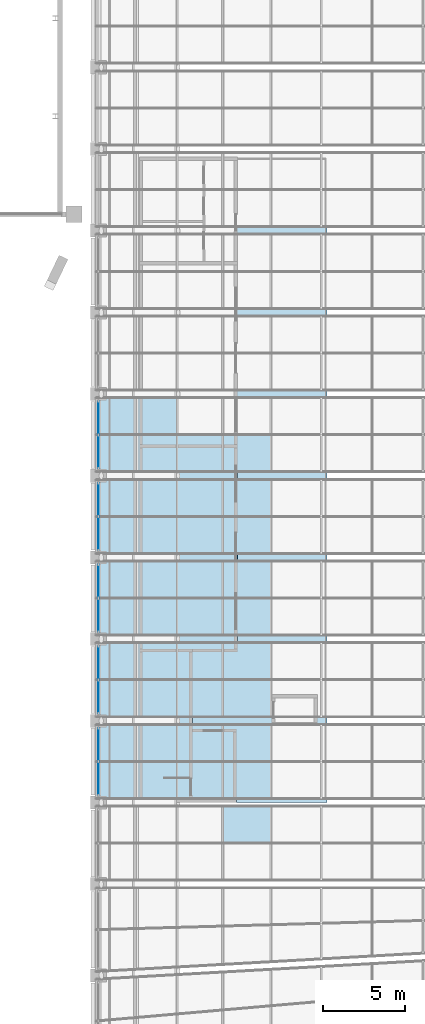
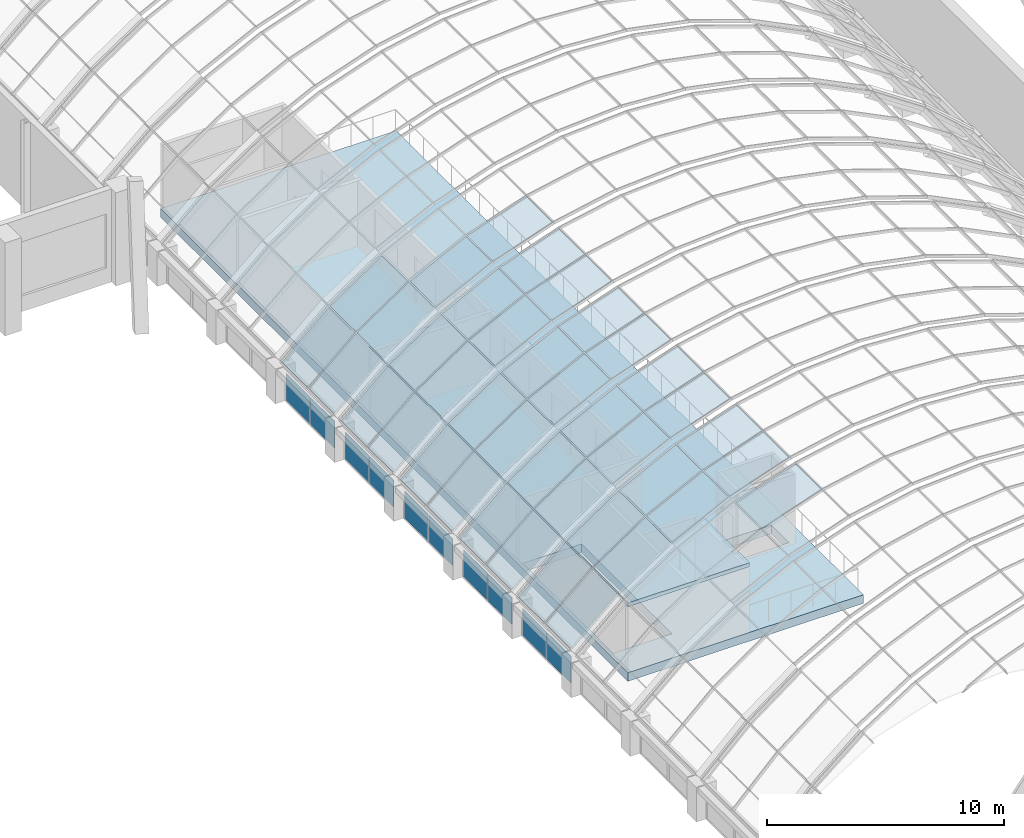
# One storey, part 105 of 182: 49 plates, 3 slabs, 11 elements without a shape of their own.
"""IFC4 building model written with IfcOpenShell, lengths in metres."""

from ifc_helpers import new_model, si_unit, direction, frame, origin, origin_2d, place, context, subcontext, project, spatial, polyline, rectangle, outline, extrude, material, layer, layer_set, type_object, element, aggregate, save


model = new_model("IFC4")

# Units and contexts
model_context = context("Model", 3, precision=1e-05, world=origin(), true_north=direction((0.0, 1.0)))
body_context = subcontext(model_context, "Body", "Model", "MODEL_VIEW")
ifc_project = project(units=[si_unit("LENGTHUNIT", "METRE"), si_unit("AREAUNIT", "SQUARE_METRE"), si_unit("VOLUMEUNIT", "CUBIC_METRE"), si_unit("PLANEANGLEUNIT", "RADIAN"), si_unit("MASSUNIT", "GRAM", prefix="KILO")], contexts=[model_context])

# Site, building, storey
site_placement = place(None, origin())
site = spatial("IfcSite", under=ifc_project, at=site_placement, CompositionType="ELEMENT")
building_placement = place(site_placement, origin())
building = spatial("IfcBuilding", under=site, at=building_placement, Name="Okhra Congress Centre", CompositionType="ELEMENT")
storey_placement = place(building_placement, frame((0.0, 0.0, 7.199951171875)))
storey = spatial("IfcBuildingStorey", under=building, at=storey_placement, Name="L01", CompositionType="ELEMENT", Elevation=7.199951171875)

# Curtain wall, plates
ifc_material_1 = material(Name="Aluminium curtain wall, triple glazing", Category="aluminium")
curtain_wall_type_1 = type_object("IfcCurtainWallType", Name="Curtain wall 2100 module", PredefinedType="NOTDEFINED", material=ifc_material_1)
curtain_wall_1_placement = place(storey_placement, origin())
curtain_wall_1 = element("IfcCurtainWall", 1, at=curtain_wall_1_placement, inside=storey, type_object=curtain_wall_type_1, Name="West bay 5 clerestory glazing", PredefinedType="NOTDEFINED")
ifc_material_2 = material(Name="Triple glazing unit, low-e coating, argon fill", Category="glass")
ifc_layer_1 = layer(ifc_material_2, 0.028076171875)
ifc_layer_set_1 = layer_set([ifc_layer_1], Name="Curtain wall glazing unit 28")
plate_type_1 = type_object("IfcPlateType", Name="Curtain wall glazing unit 28", PredefinedType="CURTAIN_PANEL", material=ifc_layer_set_1)
plate_1_placement = place(storey_placement, frame((155.5, 97.465087890625, 0.06005859375), z_axis=(0.0, 0.0, 1.0), x_axis=(0.0, 1.0, 0.0)))
plate_1 = element("IfcPlate", 2, at=plate_1_placement, type_object=plate_type_1, Name="CW4 panel 1.1", PredefinedType="CURTAIN_PANEL", context=body_context, shape_type="SweptSolid", body=[
    extrude(rectangle(XDim=2.010009765625, YDim=0.028076171875, at=origin_2d()), origin(), (0.0, 0.0, 1.0), 1.3798828125),
])
plate_2_placement = place(storey_placement, frame((155.5, 99.534912109375, 0.06005859375), z_axis=(0.0, 0.0, 1.0), x_axis=(0.0, 1.0, 0.0)))
plate_2 = element("IfcPlate", 3, at=plate_2_placement, type_object=plate_type_1, Name="CW4 panel 2.1", PredefinedType="CURTAIN_PANEL", context=body_context, shape_type="SweptSolid", body=[
    extrude(rectangle(XDim=2.010009765625, YDim=0.028076171875, at=origin_2d()), origin(), (0.0, 0.0, 1.0), 1.3798828125),
])
aggregate(curtain_wall_1, [plate_1, plate_2])

curtain_wall_2_placement = place(storey_placement, origin())
curtain_wall_2 = element("IfcCurtainWall", 4, at=curtain_wall_2_placement, inside=storey, type_object=curtain_wall_type_1, Name="West bay 6 clerestory glazing", PredefinedType="NOTDEFINED")
plate_3_placement = place(storey_placement, frame((155.5, 102.465087890625, 0.06005859375), z_axis=(0.0, 0.0, 1.0), x_axis=(0.0, 1.0, 0.0)))
plate_3 = element("IfcPlate", 5, at=plate_3_placement, type_object=plate_type_1, Name="CW4 panel 1.1", PredefinedType="CURTAIN_PANEL", context=body_context, shape_type="SweptSolid", body=[
    extrude(rectangle(XDim=2.010009765625, YDim=0.028076171875, at=origin_2d()), origin(), (0.0, 0.0, 1.0), 1.3798828125),
])
plate_4_placement = place(storey_placement, frame((155.5, 104.534912109375, 0.06005859375), z_axis=(0.0, 0.0, 1.0), x_axis=(0.0, 1.0, 0.0)))
plate_4 = element("IfcPlate", 6, at=plate_4_placement, type_object=plate_type_1, Name="CW4 panel 2.1", PredefinedType="CURTAIN_PANEL", context=body_context, shape_type="SweptSolid", body=[
    extrude(rectangle(XDim=2.010009765625, YDim=0.028076171875, at=origin_2d()), origin(), (0.0, 0.0, 1.0), 1.3798828125),
])
aggregate(curtain_wall_2, [plate_3, plate_4])

curtain_wall_3_placement = place(storey_placement, origin())
curtain_wall_3 = element("IfcCurtainWall", 7, at=curtain_wall_3_placement, inside=storey, type_object=curtain_wall_type_1, Name="West bay 7 clerestory glazing", PredefinedType="NOTDEFINED")
plate_5_placement = place(storey_placement, frame((155.5, 107.465087890625, 0.06005859375), z_axis=(0.0, 0.0, 1.0), x_axis=(0.0, 1.0, 0.0)))
plate_5 = element("IfcPlate", 8, at=plate_5_placement, type_object=plate_type_1, Name="CW4 panel 1.1", PredefinedType="CURTAIN_PANEL", context=body_context, shape_type="SweptSolid", body=[
    extrude(rectangle(XDim=2.010009765625, YDim=0.028076171875, at=origin_2d()), origin(), (0.0, 0.0, 1.0), 1.3798828125),
])
plate_6_placement = place(storey_placement, frame((155.5, 109.534912109375, 0.06005859375), z_axis=(0.0, 0.0, 1.0), x_axis=(0.0, 1.0, 0.0)))
plate_6 = element("IfcPlate", 9, at=plate_6_placement, type_object=plate_type_1, Name="CW4 panel 2.1", PredefinedType="CURTAIN_PANEL", context=body_context, shape_type="SweptSolid", body=[
    extrude(rectangle(XDim=2.010009765625, YDim=0.028076171875, at=origin_2d()), origin(), (0.0, 0.0, 1.0), 1.3798828125),
])
aggregate(curtain_wall_3, [plate_5, plate_6])

curtain_wall_4_placement = place(storey_placement, origin())
curtain_wall_4 = element("IfcCurtainWall", 10, at=curtain_wall_4_placement, inside=storey, type_object=curtain_wall_type_1, Name="West bay 8 clerestory glazing", PredefinedType="NOTDEFINED")
plate_7_placement = place(storey_placement, frame((155.5, 112.465087890625, 0.06005859375), z_axis=(0.0, 0.0, 1.0), x_axis=(0.0, 1.0, 0.0)))
plate_7 = element("IfcPlate", 11, at=plate_7_placement, type_object=plate_type_1, Name="CW4 panel 1.1", PredefinedType="CURTAIN_PANEL", context=body_context, shape_type="SweptSolid", body=[
    extrude(rectangle(XDim=2.010009765625, YDim=0.028076171875, at=origin_2d()), origin(), (0.0, 0.0, 1.0), 1.3798828125),
])
plate_8_placement = place(storey_placement, frame((155.5, 114.534912109375, 0.06005859375), z_axis=(0.0, 0.0, 1.0), x_axis=(0.0, 1.0, 0.0)))
plate_8 = element("IfcPlate", 12, at=plate_8_placement, type_object=plate_type_1, Name="CW4 panel 2.1", PredefinedType="CURTAIN_PANEL", context=body_context, shape_type="SweptSolid", body=[
    extrude(rectangle(XDim=2.010009765625, YDim=0.028076171875, at=origin_2d()), origin(), (0.0, 0.0, 1.0), 1.3798828125),
])
aggregate(curtain_wall_4, [plate_7, plate_8])

curtain_wall_5_placement = place(storey_placement, origin())
curtain_wall_5 = element("IfcCurtainWall", 13, at=curtain_wall_5_placement, inside=storey, type_object=curtain_wall_type_1, Name="West bay 9 clerestory glazing", PredefinedType="NOTDEFINED")
plate_9_placement = place(storey_placement, frame((155.5, 117.465087890625, 0.06005859375), z_axis=(0.0, 0.0, 1.0), x_axis=(0.0, 1.0, 0.0)))
plate_9 = element("IfcPlate", 14, at=plate_9_placement, type_object=plate_type_1, Name="CW4 panel 1.1", PredefinedType="CURTAIN_PANEL", context=body_context, shape_type="SweptSolid", body=[
    extrude(rectangle(XDim=2.010009765625, YDim=0.028076171875, at=origin_2d()), origin(), (0.0, 0.0, 1.0), 1.3798828125),
])
plate_10_placement = place(storey_placement, frame((155.5, 119.534912109375, 0.06005859375), z_axis=(0.0, 0.0, 1.0), x_axis=(0.0, 1.0, 0.0)))
plate_10 = element("IfcPlate", 15, at=plate_10_placement, type_object=plate_type_1, Name="CW4 panel 2.1", PredefinedType="CURTAIN_PANEL", context=body_context, shape_type="SweptSolid", body=[
    extrude(rectangle(XDim=2.010009765625, YDim=0.028076171875, at=origin_2d()), origin(), (0.0, 0.0, 1.0), 1.3798828125),
])
aggregate(curtain_wall_5, [plate_9, plate_10])

ifc_material_3 = material(Name="Aluminium frame with triple glazing", Category="aluminium")
curtain_wall_type_2 = type_object("IfcCurtainWallType", Name="Glazed vault bay curtain wall", PredefinedType="NOTDEFINED", material=ifc_material_3)
curtain_wall_6_placement = place(storey_placement, origin())
curtain_wall_6 = element("IfcCurtainWall", 16, at=curtain_wall_6_placement, inside=storey, type_object=curtain_wall_type_2, Name="Vault glazing bay 5", PredefinedType="NOTDEFINED")
ifc_material_4 = material(Name="Laminated toughened glass unit, low-e coating", Category="glass")
ifc_layer_2 = layer(ifc_material_4, 0.035888671875)
ifc_layer_set_2 = layer_set([ifc_layer_2], Name="Laminated safety glazing unit 36 mm")
plate_type_2 = type_object("IfcPlateType", Name="Laminated safety glazing unit 36 mm", PredefinedType="CURTAIN_PANEL", material=ifc_layer_set_2)
plate_11_placement = place(storey_placement, frame((155.3994140625, 96.26318359375, 1.94140625), z_axis=(-0.663696509452, 0.0, 0.748001967472), x_axis=(0.748001967472, 0.0, 0.663696509452)))
plate_11 = element("IfcPlate", 17, at=plate_11_placement, type_object=plate_type_2, Name="Vault glass panel 5.1.1", PredefinedType="CURTAIN_PANEL", context=body_context, shape_type="SweptSolid", body=[
    extrude(outline(polyline([(0.0, 0.0), (3.066763741617069, 0.0), (3.066763741617069, 2.206787109375), (0.0, 2.206787109375), (0.0, 0.0)])), origin(), (0.0, 0.0, -1.0), 0.035888671875),
])
plate_12_placement = place(storey_placement, frame((157.740478515625, 96.26318359375, 4.013427734375), z_axis=(-0.55946738617, 0.0, 0.82885236551), x_axis=(0.82885236551, 0.0, 0.55946738617)))
plate_12 = element("IfcPlate", 18, at=plate_12_placement, type_object=plate_type_2, Name="Vault glass panel 5.1.2", PredefinedType="CURTAIN_PANEL", context=body_context, shape_type="SweptSolid", body=[
    extrude(outline(polyline([(0.0, 0.0), (3.0668817430899797, 0.0), (3.0668817430899797, 2.206787109375), (0.0, 2.206787109375), (0.0, 0.0)])), origin(), (0.0, 0.0, -1.0), 0.035888671875),
])
plate_13_placement = place(storey_placement, frame((155.3994140625, 98.530029296875, 1.94140625), z_axis=(-0.663696509452, 0.0, 0.748001967472), x_axis=(0.748001967472, 0.0, 0.663696509452)))
plate_13 = element("IfcPlate", 19, at=plate_13_placement, type_object=plate_type_2, Name="Vault glass panel 5.2.1", PredefinedType="CURTAIN_PANEL", context=body_context, shape_type="SweptSolid", body=[
    extrude(outline(polyline([(0.0, 0.0), (3.066763741617069, 0.0), (3.066763741617069, 2.206787109375), (0.0, 2.206787109375), (0.0, 0.0)])), origin(), (0.0, 0.0, -1.0), 0.035888671875),
])
plate_14_placement = place(storey_placement, frame((157.740478515625, 98.530029296875, 4.013427734375), z_axis=(-0.55946738617, 0.0, 0.82885236551), x_axis=(0.82885236551, 0.0, 0.55946738617)))
plate_14 = element("IfcPlate", 20, at=plate_14_placement, type_object=plate_type_2, Name="Vault glass panel 5.2.2", PredefinedType="CURTAIN_PANEL", context=body_context, shape_type="SweptSolid", body=[
    extrude(outline(polyline([(0.0, 0.0), (3.0668817430899797, 0.0), (3.0668817430899797, 2.206787109375), (0.0, 2.206787109375), (0.0, 0.0)])), origin(), (0.0, 0.0, -1.0), 0.035888671875),
])

curtain_wall_7_placement = place(storey_placement, origin())
curtain_wall_7 = element("IfcCurtainWall", 21, at=curtain_wall_7_placement, inside=storey, type_object=curtain_wall_type_2, Name="Vault glazing bay 6", PredefinedType="NOTDEFINED")
plate_15_placement = place(storey_placement, frame((155.3994140625, 101.26318359375, 1.94140625), z_axis=(-0.663696509452, 0.0, 0.748001967472), x_axis=(0.748001967472, 0.0, 0.663696509452)))
plate_15 = element("IfcPlate", 22, at=plate_15_placement, type_object=plate_type_2, Name="Vault glass panel 6.1.1", PredefinedType="CURTAIN_PANEL", context=body_context, shape_type="SweptSolid", body=[
    extrude(outline(polyline([(0.0, 0.0), (3.066763741617069, 0.0), (3.066763741617069, 2.206787109375), (0.0, 2.206787109375), (0.0, 0.0)])), origin(), (0.0, 0.0, -1.0), 0.035888671875),
])
plate_16_placement = place(storey_placement, frame((157.740478515625, 101.26318359375, 4.013427734375), z_axis=(-0.55946738617, 0.0, 0.82885236551), x_axis=(0.82885236551, 0.0, 0.55946738617)))
plate_16 = element("IfcPlate", 23, at=plate_16_placement, type_object=plate_type_2, Name="Vault glass panel 6.1.2", PredefinedType="CURTAIN_PANEL", context=body_context, shape_type="SweptSolid", body=[
    extrude(outline(polyline([(0.0, 0.0), (3.0668817430899797, 0.0), (3.0668817430899797, 2.206787109375), (0.0, 2.206787109375), (0.0, 0.0)])), origin(), (0.0, 0.0, -1.0), 0.035888671875),
])
plate_17_placement = place(storey_placement, frame((155.3994140625, 103.530029296875, 1.94140625), z_axis=(-0.663696509452, 0.0, 0.748001967472), x_axis=(0.748001967472, 0.0, 0.663696509452)))
plate_17 = element("IfcPlate", 24, at=plate_17_placement, type_object=plate_type_2, Name="Vault glass panel 6.2.1", PredefinedType="CURTAIN_PANEL", context=body_context, shape_type="SweptSolid", body=[
    extrude(outline(polyline([(0.0, 0.0), (3.066763741617069, 0.0), (3.066763741617069, 2.206787109375), (0.0, 2.206787109375), (0.0, 0.0)])), origin(), (0.0, 0.0, -1.0), 0.035888671875),
])
plate_18_placement = place(storey_placement, frame((157.740478515625, 103.530029296875, 4.013427734375), z_axis=(-0.55946738617, 0.0, 0.82885236551), x_axis=(0.82885236551, 0.0, 0.55946738617)))
plate_18 = element("IfcPlate", 25, at=plate_18_placement, type_object=plate_type_2, Name="Vault glass panel 6.2.2", PredefinedType="CURTAIN_PANEL", context=body_context, shape_type="SweptSolid", body=[
    extrude(outline(polyline([(0.0, 0.0), (3.0668817430899797, 0.0), (3.0668817430899797, 2.206787109375), (0.0, 2.206787109375), (0.0, 0.0)])), origin(), (0.0, 0.0, -1.0), 0.035888671875),
])

curtain_wall_8_placement = place(storey_placement, origin())
curtain_wall_8 = element("IfcCurtainWall", 26, at=curtain_wall_8_placement, inside=storey, type_object=curtain_wall_type_2, Name="Vault glazing bay 7", PredefinedType="NOTDEFINED")
plate_19_placement = place(storey_placement, frame((155.3994140625, 106.26318359375, 1.94140625), z_axis=(-0.663696509452, 0.0, 0.748001967472), x_axis=(0.748001967472, 0.0, 0.663696509452)))
plate_19 = element("IfcPlate", 27, at=plate_19_placement, type_object=plate_type_2, Name="Vault glass panel 7.1.1", PredefinedType="CURTAIN_PANEL", context=body_context, shape_type="SweptSolid", body=[
    extrude(outline(polyline([(0.0, 0.0), (3.066763741617069, 0.0), (3.066763741617069, 2.206787109375), (0.0, 2.206787109375), (0.0, 0.0)])), origin(), (0.0, 0.0, -1.0), 0.035888671875),
])
plate_20_placement = place(storey_placement, frame((157.740478515625, 106.26318359375, 4.013427734375), z_axis=(-0.55946738617, 0.0, 0.82885236551), x_axis=(0.82885236551, 0.0, 0.55946738617)))
plate_20 = element("IfcPlate", 28, at=plate_20_placement, type_object=plate_type_2, Name="Vault glass panel 7.1.2", PredefinedType="CURTAIN_PANEL", context=body_context, shape_type="SweptSolid", body=[
    extrude(outline(polyline([(0.0, 0.0), (3.0668817430899797, 0.0), (3.0668817430899797, 2.206787109375), (0.0, 2.206787109375), (0.0, 0.0)])), origin(), (0.0, 0.0, -1.0), 0.035888671875),
])
plate_21_placement = place(storey_placement, frame((155.3994140625, 108.530029296875, 1.94140625), z_axis=(-0.663696509452, 0.0, 0.748001967472), x_axis=(0.748001967472, 0.0, 0.663696509452)))
plate_21 = element("IfcPlate", 29, at=plate_21_placement, type_object=plate_type_2, Name="Vault glass panel 7.2.1", PredefinedType="CURTAIN_PANEL", context=body_context, shape_type="SweptSolid", body=[
    extrude(outline(polyline([(0.0, 0.0), (3.066763741617069, 0.0), (3.066763741617069, 2.206787109375), (0.0, 2.206787109375), (0.0, 0.0)])), origin(), (0.0, 0.0, -1.0), 0.035888671875),
])
plate_22_placement = place(storey_placement, frame((157.740478515625, 108.530029296875, 4.013427734375), z_axis=(-0.55946738617, 0.0, 0.82885236551), x_axis=(0.82885236551, 0.0, 0.55946738617)))
plate_22 = element("IfcPlate", 30, at=plate_22_placement, type_object=plate_type_2, Name="Vault glass panel 7.2.2", PredefinedType="CURTAIN_PANEL", context=body_context, shape_type="SweptSolid", body=[
    extrude(outline(polyline([(0.0, 0.0), (3.0668817430899797, 0.0), (3.0668817430899797, 2.206787109375), (0.0, 2.206787109375), (0.0, 0.0)])), origin(), (0.0, 0.0, -1.0), 0.035888671875),
])

curtain_wall_9_placement = place(storey_placement, origin())
curtain_wall_9 = element("IfcCurtainWall", 31, at=curtain_wall_9_placement, inside=storey, type_object=curtain_wall_type_2, Name="Vault glazing bay 8", PredefinedType="NOTDEFINED")
plate_23_placement = place(storey_placement, frame((155.3994140625, 111.26318359375, 1.94140625), z_axis=(-0.663696509452, 0.0, 0.748001967472), x_axis=(0.748001967472, 0.0, 0.663696509452)))
plate_23 = element("IfcPlate", 32, at=plate_23_placement, type_object=plate_type_2, Name="Vault glass panel 8.1.1", PredefinedType="CURTAIN_PANEL", context=body_context, shape_type="SweptSolid", body=[
    extrude(outline(polyline([(0.0, 0.0), (3.066763741617069, 0.0), (3.066763741617069, 2.206787109375), (0.0, 2.206787109375), (0.0, 0.0)])), origin(), (0.0, 0.0, -1.0), 0.035888671875),
])
plate_24_placement = place(storey_placement, frame((157.740478515625, 111.26318359375, 4.013427734375), z_axis=(-0.55946738617, 0.0, 0.82885236551), x_axis=(0.82885236551, 0.0, 0.55946738617)))
plate_24 = element("IfcPlate", 33, at=plate_24_placement, type_object=plate_type_2, Name="Vault glass panel 8.1.2", PredefinedType="CURTAIN_PANEL", context=body_context, shape_type="SweptSolid", body=[
    extrude(outline(polyline([(0.0, 0.0), (3.0668817430899797, 0.0), (3.0668817430899797, 2.206787109375), (0.0, 2.206787109375), (0.0, 0.0)])), origin(), (0.0, 0.0, -1.0), 0.035888671875),
])
plate_25_placement = place(storey_placement, frame((155.3994140625, 113.530029296875, 1.94140625), z_axis=(-0.663696509452, 0.0, 0.748001967472), x_axis=(0.748001967472, 0.0, 0.663696509452)))
plate_25 = element("IfcPlate", 34, at=plate_25_placement, type_object=plate_type_2, Name="Vault glass panel 8.2.1", PredefinedType="CURTAIN_PANEL", context=body_context, shape_type="SweptSolid", body=[
    extrude(outline(polyline([(0.0, 0.0), (3.066763741617069, 0.0), (3.066763741617069, 2.206787109375), (0.0, 2.206787109375), (0.0, 0.0)])), origin(), (0.0, 0.0, -1.0), 0.035888671875),
])
plate_26_placement = place(storey_placement, frame((157.740478515625, 113.530029296875, 4.013427734375), z_axis=(-0.55946738617, 0.0, 0.82885236551), x_axis=(0.82885236551, 0.0, 0.55946738617)))
plate_26 = element("IfcPlate", 35, at=plate_26_placement, type_object=plate_type_2, Name="Vault glass panel 8.2.2", PredefinedType="CURTAIN_PANEL", context=body_context, shape_type="SweptSolid", body=[
    extrude(outline(polyline([(0.0, 0.0), (3.0668817430899797, 0.0), (3.0668817430899797, 2.206787109375), (0.0, 2.206787109375), (0.0, 0.0)])), origin(), (0.0, 0.0, -1.0), 0.035888671875),
])

curtain_wall_10_placement = place(storey_placement, origin())
curtain_wall_10 = element("IfcCurtainWall", 36, at=curtain_wall_10_placement, inside=storey, type_object=curtain_wall_type_2, Name="Vault glazing bay 9", PredefinedType="NOTDEFINED")
plate_27_placement = place(storey_placement, frame((155.3994140625, 116.26318359375, 1.94140625), z_axis=(-0.663696509452, 0.0, 0.748001967472), x_axis=(0.748001967472, 0.0, 0.663696509452)))
plate_27 = element("IfcPlate", 37, at=plate_27_placement, type_object=plate_type_2, Name="Vault glass panel 9.1.1", PredefinedType="CURTAIN_PANEL", context=body_context, shape_type="SweptSolid", body=[
    extrude(outline(polyline([(0.0, 0.0), (3.066763741617069, 0.0), (3.066763741617069, 2.206787109375), (0.0, 2.206787109375), (0.0, 0.0)])), origin(), (0.0, 0.0, -1.0), 0.035888671875),
])
plate_28_placement = place(storey_placement, frame((157.740478515625, 116.26318359375, 4.013427734375), z_axis=(-0.55946738617, 0.0, 0.82885236551), x_axis=(0.82885236551, 0.0, 0.55946738617)))
plate_28 = element("IfcPlate", 38, at=plate_28_placement, type_object=plate_type_2, Name="Vault glass panel 9.1.2", PredefinedType="CURTAIN_PANEL", context=body_context, shape_type="SweptSolid", body=[
    extrude(outline(polyline([(0.0, 0.0), (3.0668817430899797, 0.0), (3.0668817430899797, 2.206787109375), (0.0, 2.206787109375), (0.0, 0.0)])), origin(), (0.0, 0.0, -1.0), 0.035888671875),
])
plate_29_placement = place(storey_placement, frame((155.3994140625, 118.530029296875, 1.94140625), z_axis=(-0.663696509452, 0.0, 0.748001967472), x_axis=(0.748001967472, 0.0, 0.663696509452)))
plate_29 = element("IfcPlate", 39, at=plate_29_placement, type_object=plate_type_2, Name="Vault glass panel 9.2.1", PredefinedType="CURTAIN_PANEL", context=body_context, shape_type="SweptSolid", body=[
    extrude(outline(polyline([(0.0, 0.0), (3.066763741617069, 0.0), (3.066763741617069, 2.206787109375), (0.0, 2.206787109375), (0.0, 0.0)])), origin(), (0.0, 0.0, -1.0), 0.035888671875),
])
plate_30_placement = place(storey_placement, frame((157.740478515625, 118.530029296875, 4.013427734375), z_axis=(-0.55946738617, 0.0, 0.82885236551), x_axis=(0.82885236551, 0.0, 0.55946738617)))
plate_30 = element("IfcPlate", 40, at=plate_30_placement, type_object=plate_type_2, Name="Vault glass panel 9.2.2", PredefinedType="CURTAIN_PANEL", context=body_context, shape_type="SweptSolid", body=[
    extrude(outline(polyline([(0.0, 0.0), (3.0668817430899797, 0.0), (3.0668817430899797, 2.206787109375), (0.0, 2.206787109375), (0.0, 0.0)])), origin(), (0.0, 0.0, -1.0), 0.035888671875),
])

# Slabs
ifc_material_5 = material(Name="Concrete C35/45", Category="concrete")
ifc_layer_3 = layer(ifc_material_5, 0.449951171875)
ifc_layer_set_3 = layer_set([ifc_layer_3], Name="RC floor slab 450 REI 120 C35/45")
slab_type_1 = type_object("IfcSlabType", Name="RC floor slab 450 REI 120 C35/45", PredefinedType="FLOOR", material=ifc_layer_set_3)
slab_1_placement = place(storey_placement, frame((0.0, 0.0, -0.449951171875)))
element("IfcSlab", 41, at=slab_1_placement, inside=storey, type_object=slab_type_1, Name="Winter garden west gallery floor slab", PredefinedType="FLOOR", context=body_context, shape_type="SweptSolid", body=[
    extrude(outline(polyline([(158.0, 96.0), (169.5, 96.0), (169.5, 135.5), (158.0, 135.5), (158.0, 96.0)]), holes=[polyline([(161.050048828125, 97.56005859375), (161.050048828125, 105.199951171875), (158.199951171875, 105.199951171875), (158.199951171875, 97.56005859375), (161.050048828125, 97.56005859375)]), polyline([(166.300048828125, 100.89990234375), (168.699951171875, 100.89990234375), (168.699951171875, 102.39990234375), (166.300048828125, 102.39990234375), (166.300048828125, 100.89990234375)])]), origin(), (0.0, 0.0, 1.0), 0.449951171875),
])
ifc_material_6 = material(Name="Concrete C30/37", Category="concrete")
ifc_layer_4 = layer(ifc_material_6, 0.199951171875)
ifc_layer_set_4 = layer_set([ifc_layer_4], Name="RC roof slab 200 C30/37")
slab_type_2 = type_object("IfcSlabType", Name="RC roof slab 200 C30/37", PredefinedType="ROOF", material=ifc_layer_set_4)
slab_2_placement = place(storey_placement, frame((0.0, 0.0, 3.400146484375)))
element("IfcSlab", 42, at=slab_2_placement, inside=storey, type_object=slab_type_2, Name="Gallery stair cell and lobby ceiling slab", PredefinedType="ROOF", context=body_context, shape_type="SweptSolid", body=[
    extrude(outline(polyline([(158.0, 96.0), (163.949951171875, 96.0), (163.949951171875, 100.5), (161.25, 100.5), (161.25, 105.39990234375), (158.0, 105.39990234375), (158.0, 96.0)])), origin(), (0.0, 0.0, 1.0), 0.199951171875),
])
slab_3_placement = place(storey_placement, frame((0.0, 0.0, 3.400146484375)))
element("IfcSlab", 43, at=slab_3_placement, inside=storey, type_object=slab_type_2, Name="Exhibition Gallery ceiling slab", PredefinedType="ROOF", context=body_context, shape_type="SweptSolid", body=[
    extrude(outline(polyline([(158.0, 105.39990234375), (164.0, 105.39990234375), (164.0, 117.89990234375), (158.0, 117.89990234375), (158.0, 105.39990234375)])), origin(), (0.0, 0.0, 1.0), 0.199951171875),
])

# Curtain wall, plate
curtain_wall_11_placement = place(storey_placement, origin())
curtain_wall_11 = element("IfcCurtainWall", 44, at=curtain_wall_11_placement, inside=storey, type_object=curtain_wall_type_2, Name="Vault glazing bay 4", PredefinedType="NOTDEFINED")
ifc_material_7 = material(Name="Toughened triple glazed unit")
ifc_layer_5 = layer(ifc_material_7, 0.028076171875)
ifc_layer_set_5 = layer_set([ifc_layer_5], Name="Triple glazed unit 28 mm")
plate_type_3 = type_object("IfcPlateType", Name="Triple glazed unit 28 mm", PredefinedType="CURTAIN_PANEL", material=ifc_layer_set_5)
plate_31_placement = place(storey_placement, frame((163.13623046875, 93.530029296875, 7.145263671875), z_axis=(-0.323909017048, 0.0, 0.946088235143), x_axis=(0.946088235143, 0.0, 0.323909017048)))
plate_31 = element("IfcPlate", 45, at=plate_31_placement, type_object=plate_type_3, Name="Vault glass panel 4.2.4", PredefinedType="CURTAIN_PANEL", context=body_context, shape_type="SweptSolid", body=[
    extrude(outline(polyline([(0.0, 0.0), (3.0661822000278622, 0.0), (3.0661822000278622, 2.2067871093750004), (0.0, 2.2067871093750004), (0.0, 0.0)])), origin(), (0.0, 0.0, -1.0), 0.028076171875),
])
aggregate(curtain_wall_11, [plate_31])

# Plate
plate_32_placement = place(storey_placement, frame((160.336181640625, 96.26318359375, 5.756103515625), z_axis=(-0.445588482535, 0.0, 0.895237903706), x_axis=(0.895237903706, 0.0, 0.445588482535)))
plate_32 = element("IfcPlate", 46, at=plate_32_placement, type_object=plate_type_3, Name="Vault glass panel 5.1.3", PredefinedType="CURTAIN_PANEL", context=body_context, shape_type="SweptSolid", body=[
    extrude(outline(polyline([(0.0, 0.0), (3.066082250887193, 0.0), (3.066082250887193, 2.206787109375), (0.0, 2.206787109375), (0.0, 0.0)])), origin(), (0.0, 0.0, -1.0), 0.028076171875),
])

plate_33_placement = place(storey_placement, frame((163.13623046875, 96.26318359375, 7.145263671875), z_axis=(-0.323909017048, 0.0, 0.946088235143), x_axis=(0.946088235143, 0.0, 0.323909017048)))
plate_33 = element("IfcPlate", 47, at=plate_33_placement, type_object=plate_type_3, Name="Vault glass panel 5.1.4", PredefinedType="CURTAIN_PANEL", context=body_context, shape_type="SweptSolid", body=[
    extrude(outline(polyline([(0.0, 0.0), (3.0661822000278622, 0.0), (3.0661822000278622, 2.2067871093750004), (0.0, 2.2067871093750004), (0.0, 0.0)])), origin(), (0.0, 0.0, -1.0), 0.028076171875),
])

plate_34_placement = place(storey_placement, frame((160.336181640625, 98.530029296875, 5.756103515625), z_axis=(-0.445588482535, 0.0, 0.895237903706), x_axis=(0.895237903706, 0.0, 0.445588482535)))
plate_34 = element("IfcPlate", 48, at=plate_34_placement, type_object=plate_type_3, Name="Vault glass panel 5.2.3", PredefinedType="CURTAIN_PANEL", context=body_context, shape_type="SweptSolid", body=[
    extrude(outline(polyline([(0.0, 0.0), (3.066082250887193, 0.0), (3.066082250887193, 2.206787109375), (0.0, 2.206787109375), (0.0, 0.0)])), origin(), (0.0, 0.0, -1.0), 0.028076171875),
])

plate_35_placement = place(storey_placement, frame((163.13623046875, 98.530029296875, 7.145263671875), z_axis=(-0.323909017048, 0.0, 0.946088235143), x_axis=(0.946088235143, 0.0, 0.323909017048)))
plate_35 = element("IfcPlate", 49, at=plate_35_placement, type_object=plate_type_3, Name="Vault glass panel 5.2.4", PredefinedType="CURTAIN_PANEL", context=body_context, shape_type="SweptSolid", body=[
    extrude(outline(polyline([(0.0, 0.0), (3.0661822000278622, 0.0), (3.0661822000278622, 2.2067871093750004), (0.0, 2.2067871093750004), (0.0, 0.0)])), origin(), (0.0, 0.0, -1.0), 0.028076171875),
])

aggregate(curtain_wall_6, [plate_11, plate_12, plate_32, plate_33, plate_13, plate_14, plate_34, plate_35])

plate_36_placement = place(storey_placement, frame((160.336181640625, 101.26318359375, 5.756103515625), z_axis=(-0.445588482535, 0.0, 0.895237903706), x_axis=(0.895237903706, 0.0, 0.445588482535)))
plate_36 = element("IfcPlate", 50, at=plate_36_placement, type_object=plate_type_3, Name="Vault glass panel 6.1.3", PredefinedType="CURTAIN_PANEL", context=body_context, shape_type="SweptSolid", body=[
    extrude(outline(polyline([(0.0, 0.0), (3.066082250887193, 0.0), (3.066082250887193, 2.206787109375), (0.0, 2.206787109375), (0.0, 0.0)])), origin(), (0.0, 0.0, -1.0), 0.028076171875),
])

plate_37_placement = place(storey_placement, frame((163.13623046875, 101.26318359375, 7.145263671875), z_axis=(-0.323909017048, 0.0, 0.946088235143), x_axis=(0.946088235143, 0.0, 0.323909017048)))
plate_37 = element("IfcPlate", 51, at=plate_37_placement, type_object=plate_type_3, Name="Vault glass panel 6.1.4", PredefinedType="CURTAIN_PANEL", context=body_context, shape_type="SweptSolid", body=[
    extrude(outline(polyline([(0.0, 0.0), (3.0661822000278622, 0.0), (3.0661822000278622, 2.2067871093750004), (0.0, 2.2067871093750004), (0.0, 0.0)])), origin(), (0.0, 0.0, -1.0), 0.028076171875),
])

plate_38_placement = place(storey_placement, frame((160.336181640625, 103.530029296875, 5.756103515625), z_axis=(-0.445588482535, 0.0, 0.895237903706), x_axis=(0.895237903706, 0.0, 0.445588482535)))
plate_38 = element("IfcPlate", 52, at=plate_38_placement, type_object=plate_type_3, Name="Vault glass panel 6.2.3", PredefinedType="CURTAIN_PANEL", context=body_context, shape_type="SweptSolid", body=[
    extrude(outline(polyline([(0.0, 0.0), (3.066082250887193, 0.0), (3.066082250887193, 2.206787109375), (0.0, 2.206787109375), (0.0, 0.0)])), origin(), (0.0, 0.0, -1.0), 0.028076171875),
])

plate_39_placement = place(storey_placement, frame((163.13623046875, 103.530029296875, 7.145263671875), z_axis=(-0.323909017048, 0.0, 0.946088235143), x_axis=(0.946088235143, 0.0, 0.323909017048)))
plate_39 = element("IfcPlate", 53, at=plate_39_placement, type_object=plate_type_3, Name="Vault glass panel 6.2.4", PredefinedType="CURTAIN_PANEL", context=body_context, shape_type="SweptSolid", body=[
    extrude(outline(polyline([(0.0, 0.0), (3.0661822000278622, 0.0), (3.0661822000278622, 2.2067871093750004), (0.0, 2.2067871093750004), (0.0, 0.0)])), origin(), (0.0, 0.0, -1.0), 0.028076171875),
])

aggregate(curtain_wall_7, [plate_15, plate_16, plate_36, plate_37, plate_17, plate_18, plate_38, plate_39])

plate_40_placement = place(storey_placement, frame((160.336181640625, 106.26318359375, 5.756103515625), z_axis=(-0.445588482535, 0.0, 0.895237903706), x_axis=(0.895237903706, 0.0, 0.445588482535)))
plate_40 = element("IfcPlate", 54, at=plate_40_placement, type_object=plate_type_3, Name="Vault glass panel 7.1.3", PredefinedType="CURTAIN_PANEL", context=body_context, shape_type="SweptSolid", body=[
    extrude(outline(polyline([(0.0, 0.0), (3.066082250887193, 0.0), (3.066082250887193, 2.206787109375), (0.0, 2.206787109375), (0.0, 0.0)])), origin(), (0.0, 0.0, -1.0), 0.028076171875),
])

plate_41_placement = place(storey_placement, frame((163.13623046875, 106.26318359375, 7.145263671875), z_axis=(-0.323909017048, 0.0, 0.946088235143), x_axis=(0.946088235143, 0.0, 0.323909017048)))
plate_41 = element("IfcPlate", 55, at=plate_41_placement, type_object=plate_type_3, Name="Vault glass panel 7.1.4", PredefinedType="CURTAIN_PANEL", context=body_context, shape_type="SweptSolid", body=[
    extrude(outline(polyline([(0.0, 0.0), (3.0661822000278622, 0.0), (3.0661822000278622, 2.2067871093750004), (0.0, 2.2067871093750004), (0.0, 0.0)])), origin(), (0.0, 0.0, -1.0), 0.028076171875),
])

plate_42_placement = place(storey_placement, frame((160.336181640625, 108.530029296875, 5.756103515625), z_axis=(-0.445588482535, 0.0, 0.895237903706), x_axis=(0.895237903706, 0.0, 0.445588482535)))
plate_42 = element("IfcPlate", 56, at=plate_42_placement, type_object=plate_type_3, Name="Vault glass panel 7.2.3", PredefinedType="CURTAIN_PANEL", context=body_context, shape_type="SweptSolid", body=[
    extrude(outline(polyline([(0.0, 0.0), (3.066082250887193, 0.0), (3.066082250887193, 2.206787109375), (0.0, 2.206787109375), (0.0, 0.0)])), origin(), (0.0, 0.0, -1.0), 0.028076171875),
])

plate_43_placement = place(storey_placement, frame((163.13623046875, 108.530029296875, 7.145263671875), z_axis=(-0.323909017048, 0.0, 0.946088235143), x_axis=(0.946088235143, 0.0, 0.323909017048)))
plate_43 = element("IfcPlate", 57, at=plate_43_placement, type_object=plate_type_3, Name="Vault glass panel 7.2.4", PredefinedType="CURTAIN_PANEL", context=body_context, shape_type="SweptSolid", body=[
    extrude(outline(polyline([(0.0, 0.0), (3.0661822000278622, 0.0), (3.0661822000278622, 2.2067871093750004), (0.0, 2.2067871093750004), (0.0, 0.0)])), origin(), (0.0, 0.0, -1.0), 0.028076171875),
])

aggregate(curtain_wall_8, [plate_19, plate_20, plate_40, plate_41, plate_21, plate_22, plate_42, plate_43])

plate_44_placement = place(storey_placement, frame((160.336181640625, 111.26318359375, 5.756103515625), z_axis=(-0.445588482535, 0.0, 0.895237903706), x_axis=(0.895237903706, 0.0, 0.445588482535)))
plate_44 = element("IfcPlate", 58, at=plate_44_placement, type_object=plate_type_3, Name="Vault glass panel 8.1.3", PredefinedType="CURTAIN_PANEL", context=body_context, shape_type="SweptSolid", body=[
    extrude(outline(polyline([(0.0, 0.0), (3.066082250887193, 0.0), (3.066082250887193, 2.206787109375), (0.0, 2.206787109375), (0.0, 0.0)])), origin(), (0.0, 0.0, -1.0), 0.028076171875),
])

plate_45_placement = place(storey_placement, frame((163.13623046875, 111.26318359375, 7.145263671875), z_axis=(-0.323909017048, 0.0, 0.946088235143), x_axis=(0.946088235143, 0.0, 0.323909017048)))
plate_45 = element("IfcPlate", 59, at=plate_45_placement, type_object=plate_type_3, Name="Vault glass panel 8.1.4", PredefinedType="CURTAIN_PANEL", context=body_context, shape_type="SweptSolid", body=[
    extrude(outline(polyline([(0.0, 0.0), (3.0661822000278622, 0.0), (3.0661822000278622, 2.2067871093750004), (0.0, 2.2067871093750004), (0.0, 0.0)])), origin(), (0.0, 0.0, -1.0), 0.028076171875),
])

plate_46_placement = place(storey_placement, frame((160.336181640625, 113.530029296875, 5.756103515625), z_axis=(-0.445588482535, 0.0, 0.895237903706), x_axis=(0.895237903706, 0.0, 0.445588482535)))
plate_46 = element("IfcPlate", 60, at=plate_46_placement, type_object=plate_type_3, Name="Vault glass panel 8.2.3", PredefinedType="CURTAIN_PANEL", context=body_context, shape_type="SweptSolid", body=[
    extrude(outline(polyline([(0.0, 0.0), (3.066082250887193, 0.0), (3.066082250887193, 2.206787109375), (0.0, 2.206787109375), (0.0, 0.0)])), origin(), (0.0, 0.0, -1.0), 0.028076171875),
])

plate_47_placement = place(storey_placement, frame((163.13623046875, 113.530029296875, 7.145263671875), z_axis=(-0.323909017048, 0.0, 0.946088235143), x_axis=(0.946088235143, 0.0, 0.323909017048)))
plate_47 = element("IfcPlate", 61, at=plate_47_placement, type_object=plate_type_3, Name="Vault glass panel 8.2.4", PredefinedType="CURTAIN_PANEL", context=body_context, shape_type="SweptSolid", body=[
    extrude(outline(polyline([(0.0, 0.0), (3.0661822000278622, 0.0), (3.0661822000278622, 2.2067871093750004), (0.0, 2.2067871093750004), (0.0, 0.0)])), origin(), (0.0, 0.0, -1.0), 0.028076171875),
])

aggregate(curtain_wall_9, [plate_23, plate_24, plate_44, plate_45, plate_25, plate_26, plate_46, plate_47])

plate_48_placement = place(storey_placement, frame((160.336181640625, 116.26318359375, 5.756103515625), z_axis=(-0.445588482535, 0.0, 0.895237903706), x_axis=(0.895237903706, 0.0, 0.445588482535)))
plate_48 = element("IfcPlate", 62, at=plate_48_placement, type_object=plate_type_3, Name="Vault glass panel 9.1.3", PredefinedType="CURTAIN_PANEL", context=body_context, shape_type="SweptSolid", body=[
    extrude(outline(polyline([(0.0, 0.0), (3.066082250887193, 0.0), (3.066082250887193, 2.206787109375), (0.0, 2.206787109375), (0.0, 0.0)])), origin(), (0.0, 0.0, -1.0), 0.028076171875),
])

plate_49_placement = place(storey_placement, frame((163.13623046875, 116.26318359375, 7.145263671875), z_axis=(-0.323909017048, 0.0, 0.946088235143), x_axis=(0.946088235143, 0.0, 0.323909017048)))
plate_49 = element("IfcPlate", 63, at=plate_49_placement, type_object=plate_type_3, Name="Vault glass panel 9.1.4", PredefinedType="CURTAIN_PANEL", context=body_context, shape_type="SweptSolid", body=[
    extrude(outline(polyline([(0.0, 0.0), (3.0661822000278622, 0.0), (3.0661822000278622, 2.2067871093750004), (0.0, 2.2067871093750004), (0.0, 0.0)])), origin(), (0.0, 0.0, -1.0), 0.028076171875),
])

aggregate(curtain_wall_10, [plate_27, plate_28, plate_48, plate_49, plate_29, plate_30])

save(model, "model.ifc")
